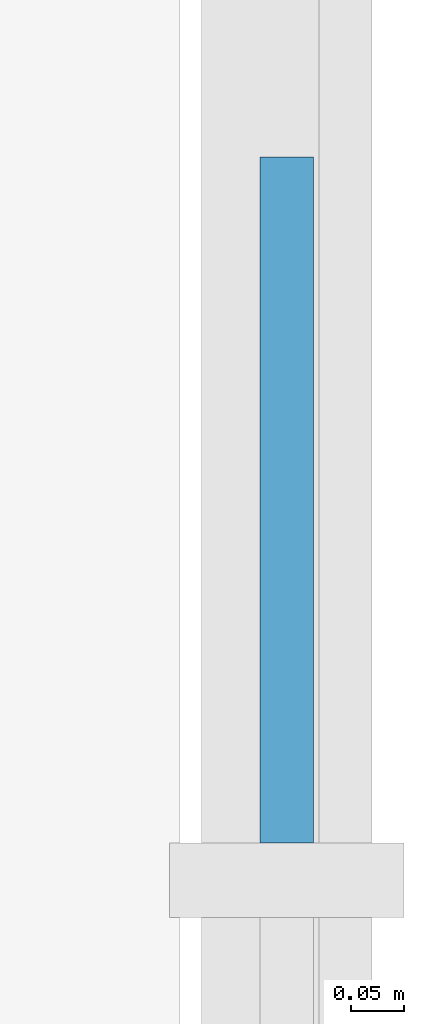
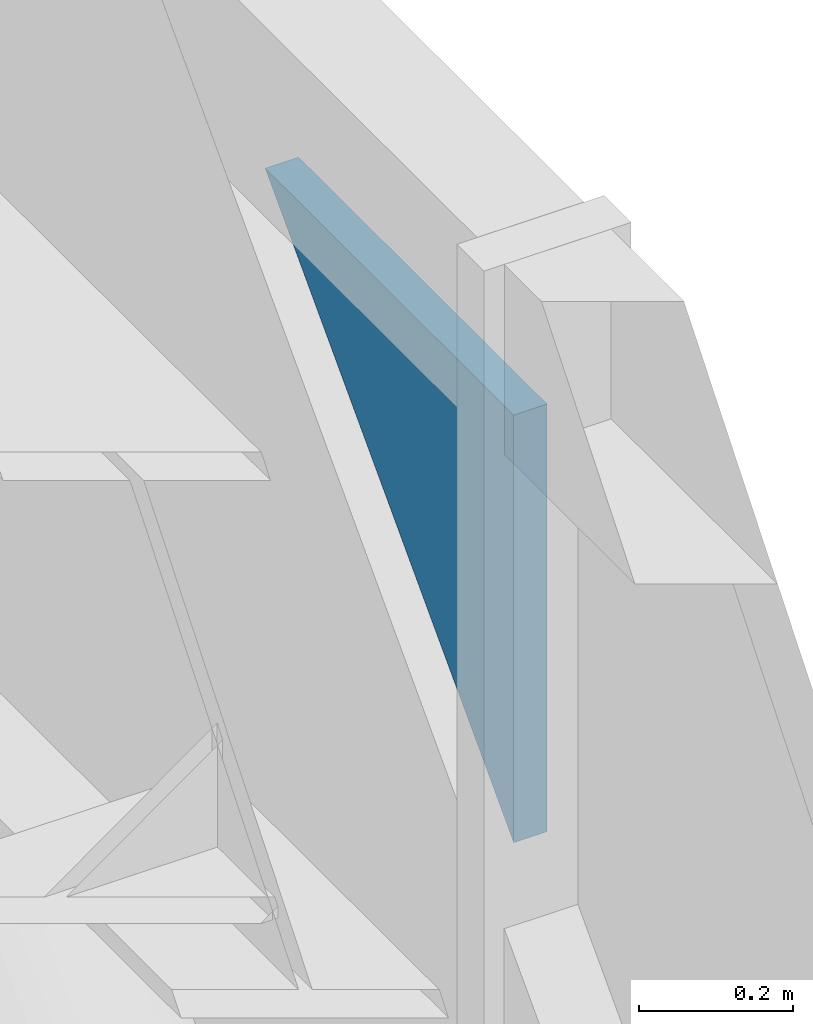
# One storey, part 11 of 17: 1 plate, 1 element without a shape of its own.
"""IFC4 building model written with IfcOpenShell, lengths in metres."""

from ifc_helpers import new_model, si_unit, direction, frame, origin, place, context, subcontext, project, spatial, polyline, outline, extrude, material, layer, layer_set, type_object, element, aggregate, save


model = new_model("IFC4")

# Units and contexts
model_context = context("Model", 3, precision=1e-05, world=origin(), true_north=direction((0.0, 1.0)))
body_context = subcontext(model_context, "Body", "Model", "MODEL_VIEW")
ifc_project = project(units=[si_unit("LENGTHUNIT", "METRE"), si_unit("AREAUNIT", "SQUARE_METRE"), si_unit("VOLUMEUNIT", "CUBIC_METRE"), si_unit("PLANEANGLEUNIT", "RADIAN"), si_unit("MASSUNIT", "GRAM", prefix="KILO")], contexts=[model_context])

# Site, building, storey
site_placement = place(None, origin())
site = spatial("IfcSite", under=ifc_project, at=site_placement, CompositionType="ELEMENT")
building_placement = place(site_placement, origin())
building = spatial("IfcBuilding", under=site, at=building_placement, Name="Rheinbord Bourse Tower", CompositionType="ELEMENT")
storey_placement = place(building_placement, frame((0.0, 0.0, 227.800048828125)))
storey = spatial("IfcBuildingStorey", under=building, at=storey_placement, Name="L51", CompositionType="ELEMENT", Elevation=227.800048828125)

# Curtain wall, plate
ifc_material_1 = material(Name="Dark glass and black aluminium", Category="aluminium")
curtain_wall_type = type_object("IfcCurtainWallType", Name="CW2 DARK GLASS CURTAIN WALL", PredefinedType="USERDEFINED", material=ifc_material_1)
curtain_wall_placement = place(storey_placement, origin())
curtain_wall = element("IfcCurtainWall", 1, at=curtain_wall_placement, inside=storey, type_object=curtain_wall_type, Name="Curtain wall CW2 E L51", ObjectType="UNITISED CURTAIN WALL", PredefinedType="USERDEFINED")
ifc_material_2 = material(Name="Dark tinted triple insulating glass", Category="glass")
ifc_layer = layer(ifc_material_2, 0.050048828125)
ifc_layer_set = layer_set([ifc_layer], Name="CW2 DARK GLASS PANEL")
plate_type = type_object("IfcPlateType", Name="CW2 DARK GLASS PANEL", PredefinedType="CURTAIN_PANEL", material=ifc_layer_set)
plate_placement = place(storey_placement, frame((72.625, 14.235107421875, 3.89990234375), z_axis=(-1.0, 0.0, 0.0), x_axis=(0.0, 1.0, 0.0)))
plate = element("IfcPlate", 2, at=plate_placement, type_object=plate_type, Name="CW2 glass facet 1", PredefinedType="CURTAIN_PANEL", context=body_context, shape_type="SweptSolid", body=[
    extrude(outline(polyline([(0.0, 0.0), (0.643798828125, 0.0), (0.0, 0.676025390625), (0.0, 0.0)])), origin(), (0.0, 0.0, 1.0), 0.050048828125),
])
aggregate(curtain_wall, [plate])

save(model, "model.ifc")
